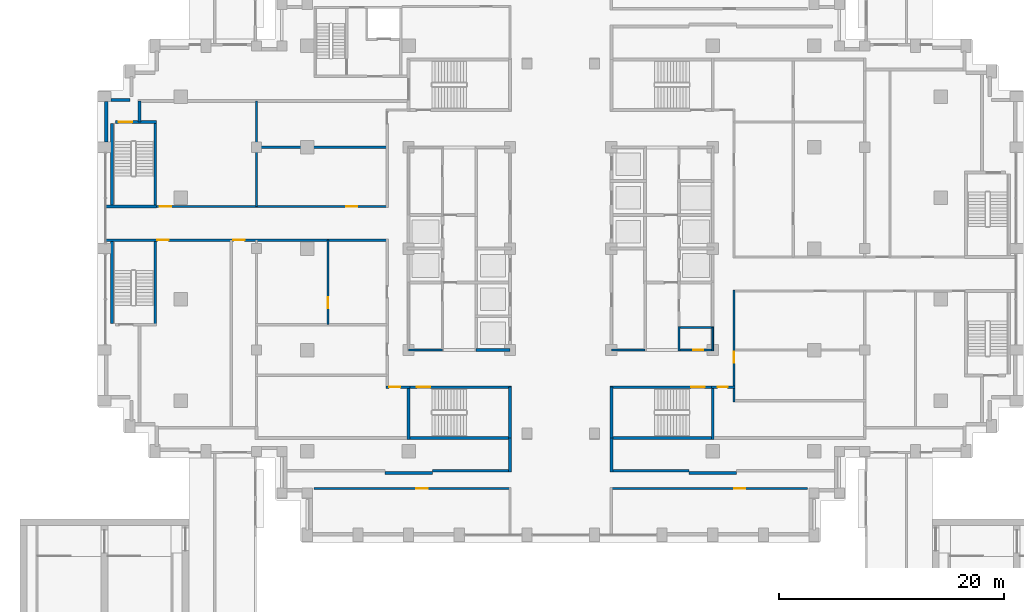
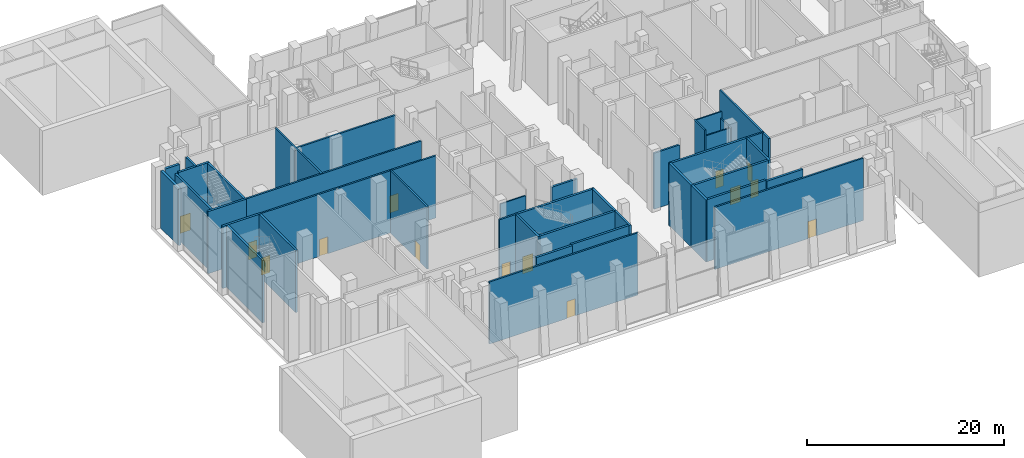
# One storey, part 11 of 24: 41 walls, 14 doors, 14 openings.
"""IFC4 building model written with IfcOpenShell, lengths in metres."""

from ifc_helpers import new_model, si_unit, direction, frame, frame_2d, origin, place, context, subcontext, project, spatial, rectangle, extrude, material, layer, layer_set, type_object, element, fill, save


model = new_model("IFC4")

# Units and contexts
model_context = context("Model", 3, precision=1e-05, world=origin(), true_north=direction((0.0, 1.0)))
body_context = subcontext(model_context, "Body", "Model", "MODEL_VIEW")
ifc_project = project(units=[si_unit("LENGTHUNIT", "METRE"), si_unit("AREAUNIT", "SQUARE_METRE"), si_unit("VOLUMEUNIT", "CUBIC_METRE"), si_unit("PLANEANGLEUNIT", "RADIAN"), si_unit("MASSUNIT", "GRAM", prefix="KILO")], contexts=[model_context])

# Site, building, storey
site_placement = place(None, origin())
site = spatial("IfcSite", under=ifc_project, at=site_placement, CompositionType="ELEMENT")
building_placement = place(site_placement, origin())
building = spatial("IfcBuilding", under=site, at=building_placement, Name="Corbelhall Arena Tower", CompositionType="ELEMENT")
storey_placement = place(building_placement, frame((0.0, 0.0, 60.0)))
storey = spatial("IfcBuildingStorey", under=building, at=storey_placement, Name="L08", CompositionType="ELEMENT", Elevation=60.0)

# Walls
ifc_material_1 = material(Name="Precast concrete C40/50 with granite facing", Category="masonry")
ifc_layer_1 = layer(ifc_material_1, 0.300048828125)
ifc_layer_set_1 = layer_set([ifc_layer_1], Name="EV-IW1 Infill panel 300")
wall_type_1 = type_object("IfcWallType", Name="EV-IW1 Infill panel 300", PredefinedType="SOLIDWALL", material=ifc_layer_set_1)
wall_1_placement = place(storey_placement, frame((-39.89990234375, 13.199951171875, 0.0), z_axis=(0.0, 0.0, 1.0), x_axis=(1.0, 0.0, 0.0)))
element("IfcWall", 1, at=wall_1_placement, inside=storey, type_object=wall_type_1, Name="Infill panel IW1", PredefinedType="SOLIDWALL", context=body_context, shape_type="SweptSolid", body=[
    extrude(rectangle(XDim=1.64990234375, YDim=0.300048828125, at=frame_2d((0.824951171875, 0.0))), origin(), (0.0, 0.0, 1.0), 7.10009765625),
])
wall_2_placement = place(storey_placement, frame((-40.35009765625, 13.050048828125, 0.0), z_axis=(0.0, 0.0, 1.0), x_axis=(0.0, -1.0, 0.0)))
element("IfcWall", 2, at=wall_2_placement, inside=storey, type_object=wall_type_1, Name="Infill panel IW1", PredefinedType="SOLIDWALL", context=body_context, shape_type="SweptSolid", body=[
    extrude(rectangle(XDim=3.60009765625, YDim=0.300048828125, at=frame_2d((1.800048828125, 0.0))), origin(), (0.0, 0.0, 1.0), 7.10009765625),
])

# Wall, openings, doors
ifc_material_2 = material(Name="Gypsum board on steel stud, acoustic", Category="steel")
ifc_layer_2 = layer(ifc_material_2, 0.199951171875)
ifc_layer_set_2 = layer_set([ifc_layer_2], Name="IN-W-DM200")
wall_type_2 = type_object("IfcWallType", Name="IN-W-DM200", PredefinedType="PARTITIONING", material=ifc_layer_set_2)
wall_3_placement = place(storey_placement, frame((-36.125, 3.75, 0.0), z_axis=(0.0, 0.0, 1.0), x_axis=(1.0, 0.0, 0.0)))
wall_3 = element("IfcWall", 3, at=wall_3_placement, inside=storey, type_object=wall_type_2, Name="Partition 001", PredefinedType="PARTITIONING", context=body_context, shape_type="SweptSolid", body=[
    extrude(rectangle(XDim=20.72509765625, YDim=0.199951171875, at=frame_2d((10.362548828125, 0.0))), origin(), (0.0, 0.0, 1.0), 7.699951171875),
])
opening_1_placement = place(wall_3_placement, frame((17.074951171875, 0.0, 0.0)))
opening_1 = element("IfcOpeningElement", 4, at=opening_1_placement, cuts=wall_3, Name="Opening 25024", PredefinedType="OPENING", context=body_context, shape_type="SweptSolid", body=[
    extrude(rectangle(XDim=1.0, YDim=2.10009765625, at=frame_2d((0.5, 1.050048828125))), frame((0.0, 0.10009765625, 0.0), z_axis=(0.0, -1.0, 0.0), x_axis=(1.0, 0.0, 0.0)), (0.0, 0.0, 1.0), 0.199951171875),
])
opening_2_placement = place(wall_3_placement, frame((0.550048828125, 0.0, 0.0)))
opening_2 = element("IfcOpeningElement", 5, at=opening_2_placement, cuts=wall_3, Name="Opening 25036", PredefinedType="OPENING", context=body_context, shape_type="SweptSolid", body=[
    extrude(rectangle(XDim=1.0, YDim=2.10009765625, at=frame_2d((0.5, 1.050048828125))), frame((0.0, 0.10009765625, 0.0), z_axis=(0.0, -1.0, 0.0), x_axis=(1.0, 0.0, 0.0)), (0.0, 0.0, 1.0), 0.199951171875),
])
ifc_material_3 = material(Name="Steel door set", Category="steel")
door_type_1 = type_object("IfcDoorType", Name="IN-D-SW100", OperationType="NOTDEFINED", PredefinedType="DOOR", material=ifc_material_3)
door_1_placement = place(opening_1_placement, origin())
door_1 = element("IfcDoor", 6, at=door_1_placement, inside=storey, type_object=door_type_1, Name="Door 024", OperationType="SINGLE_SWING_LEFT", OverallHeight=2.10009765625, OverallWidth=1.0, PredefinedType="DOOR", context=body_context, shape_type="SweptSolid", body=[
    extrude(rectangle(XDim=1.0, YDim=2.10009765625, at=frame_2d((0.5, 1.050048828125))), frame((0.0, 0.02490234375, 0.0), z_axis=(0.0, -1.0, 0.0), x_axis=(1.0, 0.0, 0.0)), (0.0, 0.0, 1.0), 0.050048828125),
])
fill(opening_1, door_1)
door_2_placement = place(opening_2_placement, origin())
door_2 = element("IfcDoor", 7, at=door_2_placement, inside=storey, type_object=door_type_1, Name="Door 036", OperationType="SINGLE_SWING_LEFT", OverallHeight=2.10009765625, OverallWidth=1.0, PredefinedType="DOOR", context=body_context, shape_type="SweptSolid", body=[
    extrude(rectangle(XDim=1.0, YDim=2.10009765625, at=frame_2d((0.5, 1.050048828125))), frame((0.0, 0.02490234375, 0.0), z_axis=(0.0, -1.0, 0.0), x_axis=(1.0, 0.0, 0.0)), (0.0, 0.0, 1.0), 0.050048828125),
])
fill(opening_2, door_2)

wall_4_placement = place(storey_placement, frame((-15.39990234375, 0.75, 0.0), z_axis=(0.0, 0.0, 1.0), x_axis=(-1.0, 0.0, 0.0)))
wall_4 = element("IfcWall", 8, at=wall_4_placement, inside=storey, type_object=wall_type_2, Name="Partition 003", PredefinedType="PARTITIONING", context=body_context, shape_type="SweptSolid", body=[
    extrude(rectangle(XDim=20.72509765625, YDim=0.199951171875, at=frame_2d((10.362548828125, 0.0))), origin(), (0.0, 0.0, 1.0), 7.699951171875),
])
opening_3_placement = place(wall_4_placement, frame((19.39990234375, 0.0, 0.0)))
opening_3 = element("IfcOpeningElement", 9, at=opening_3_placement, cuts=wall_4, Name="Opening 25037", PredefinedType="OPENING", context=body_context, shape_type="SweptSolid", body=[
    extrude(rectangle(XDim=1.0, YDim=2.10009765625, at=frame_2d((0.5, 1.050048828125))), frame((0.0, 0.10009765625, 0.0), z_axis=(0.0, -1.0, 0.0), x_axis=(1.0, 0.0, 0.0)), (0.0, 0.0, 1.0), 0.199951171875),
])
opening_4_placement = place(wall_4_placement, frame((12.64990234375, 0.0, 0.0)))
opening_4 = element("IfcOpeningElement", 10, at=opening_4_placement, cuts=wall_4, Name="Opening 25038", PredefinedType="OPENING", context=body_context, shape_type="SweptSolid", body=[
    extrude(rectangle(XDim=1.0, YDim=2.10009765625, at=frame_2d((0.5, 1.050048828125))), frame((0.0, 0.10009765625, 0.0), z_axis=(0.0, -1.0, 0.0), x_axis=(1.0, 0.0, 0.0)), (0.0, 0.0, 1.0), 0.199951171875),
])
door_3_placement = place(opening_3_placement, origin())
door_3 = element("IfcDoor", 11, at=door_3_placement, inside=storey, type_object=door_type_1, Name="Door 037", OperationType="SINGLE_SWING_RIGHT", OverallHeight=2.10009765625, OverallWidth=1.0, PredefinedType="DOOR", context=body_context, shape_type="SweptSolid", body=[
    extrude(rectangle(XDim=1.0, YDim=2.10009765625, at=frame_2d((0.5, 1.050048828125))), frame((0.0, 0.02490234375, 0.0), z_axis=(0.0, -1.0, 0.0), x_axis=(1.0, 0.0, 0.0)), (0.0, 0.0, 1.0), 0.050048828125),
])
fill(opening_3, door_3)
door_4_placement = place(opening_4_placement, origin())
door_4 = element("IfcDoor", 12, at=door_4_placement, inside=storey, type_object=door_type_1, Name="Door 038", OperationType="SINGLE_SWING_LEFT", OverallHeight=2.10009765625, OverallWidth=1.0, PredefinedType="DOOR", context=body_context, shape_type="SweptSolid", body=[
    extrude(rectangle(XDim=1.0, YDim=2.10009765625, at=frame_2d((0.5, 1.050048828125))), frame((0.0, 0.02490234375, 0.0), z_axis=(0.0, -1.0, 0.0), x_axis=(1.0, 0.0, 0.0)), (0.0, 0.0, 1.0), 0.050048828125),
])
fill(opening_4, door_4)

# Walls
wall_5_placement = place(storey_placement, frame((-27.10009765625, 9.0, 0.0), z_axis=(0.0, 0.0, 1.0), x_axis=(1.0, 0.0, 0.0)))
element("IfcWall", 13, at=wall_5_placement, inside=storey, type_object=wall_type_2, Name="Partition 006", PredefinedType="PARTITIONING", context=body_context, shape_type="SweptSolid", body=[
    extrude(rectangle(XDim=11.7001953125, YDim=0.199951171875, at=frame_2d((5.85009765625, 0.0))), origin(), (0.0, 0.0, 1.0), 7.699951171875),
])
wall_6_placement = place(storey_placement, frame((-27.0, 3.75, 0.0), z_axis=(0.0, 0.0, 1.0), x_axis=(0.0, 1.0, 0.0)))
element("IfcWall", 14, at=wall_6_placement, inside=storey, type_object=wall_type_2, Name="Partition 008", PredefinedType="PARTITIONING", context=body_context, shape_type="SweptSolid", body=[
    extrude(rectangle(XDim=9.35009765625, YDim=0.199951171875, at=frame_2d((4.675048828125, 0.0))), origin(), (0.0, 0.0, 1.0), 7.699951171875),
])

# Wall, opening, door
wall_7_placement = place(storey_placement, frame((-20.64990234375, -6.75, 0.0), z_axis=(0.0, 0.0, 1.0), x_axis=(0.0, 1.0, 0.0)))
wall_7 = element("IfcWall", 15, at=wall_7_placement, inside=storey, type_object=wall_type_2, Name="Partition 009", PredefinedType="PARTITIONING", context=body_context, shape_type="SweptSolid", body=[
    extrude(rectangle(XDim=7.5, YDim=0.199951171875, at=frame_2d((3.75, 0.0))), origin(), (0.0, 0.0, 1.0), 7.699951171875),
])
opening_5_placement = place(wall_7_placement, frame((1.449951171875, 0.0, 0.0)))
opening_5 = element("IfcOpeningElement", 16, at=opening_5_placement, cuts=wall_7, Name="Opening 25029", PredefinedType="OPENING", context=body_context, shape_type="SweptSolid", body=[
    extrude(rectangle(XDim=1.0, YDim=2.10009765625, at=frame_2d((0.5, 1.050048828125))), frame((0.0, 0.10009765625, 0.0), z_axis=(0.0, -1.0, 0.0), x_axis=(1.0, 0.0, 0.0)), (0.0, 0.0, 1.0), 0.199951171875),
])
door_5_placement = place(opening_5_placement, origin())
door_5 = element("IfcDoor", 17, at=door_5_placement, inside=storey, type_object=door_type_1, Name="Door 029", OperationType="SINGLE_SWING_RIGHT", OverallHeight=2.10009765625, OverallWidth=1.0, PredefinedType="DOOR", context=body_context, shape_type="SweptSolid", body=[
    extrude(rectangle(XDim=1.0, YDim=2.10009765625, at=frame_2d((0.5, 1.050048828125))), frame((0.0, 0.02490234375, 0.0), z_axis=(0.0, -1.0, 0.0), x_axis=(1.0, 0.0, 0.0)), (0.0, 0.0, 1.0), 0.050048828125),
])
fill(opening_5, door_5)

wall_8_placement = place(storey_placement, frame((-13.375, -12.300048828125, 0.0), z_axis=(0.0, 0.0, 1.0), x_axis=(-1.0, 0.0, 0.0)))
wall_8 = element("IfcWall", 18, at=wall_8_placement, inside=storey, type_object=wall_type_2, Name="Partition 013", PredefinedType="PARTITIONING", context=body_context, shape_type="SweptSolid", body=[
    extrude(rectangle(XDim=2.125, YDim=0.199951171875, at=frame_2d((1.0625, 0.0))), origin(), (0.0, 0.0, 1.0), 7.699951171875),
])
opening_6_placement = place(wall_8_placement, frame((0.85009765625, 0.0, 0.0)))
opening_6 = element("IfcOpeningElement", 19, at=opening_6_placement, cuts=wall_8, Name="Opening 25026", PredefinedType="OPENING", context=body_context, shape_type="SweptSolid", body=[
    extrude(rectangle(XDim=1.0, YDim=2.10009765625, at=frame_2d((0.5, 1.050048828125))), frame((0.0, 0.10009765625, 0.0), z_axis=(0.0, -1.0, 0.0), x_axis=(1.0, 0.0, 0.0)), (0.0, 0.0, 1.0), 0.199951171875),
])
door_6_placement = place(opening_6_placement, origin())
door_6 = element("IfcDoor", 20, at=door_6_placement, inside=storey, type_object=door_type_1, Name="Door 026", OperationType="SINGLE_SWING_LEFT", OverallHeight=2.10009765625, OverallWidth=1.0, PredefinedType="DOOR", context=body_context, shape_type="SweptSolid", body=[
    extrude(rectangle(XDim=1.0, YDim=2.10009765625, at=frame_2d((0.5, 1.050048828125))), frame((0.0, 0.02490234375, 0.0), z_axis=(0.0, -1.0, 0.0), x_axis=(1.0, 0.0, 0.0)), (0.0, 0.0, 1.0), 0.050048828125),
])
fill(opening_6, door_6)

wall_9_placement = place(storey_placement, frame((-4.5, -21.300048828125, 0.0), z_axis=(0.0, 0.0, 1.0), x_axis=(-1.0, 0.0, 0.0)))
wall_9 = element("IfcWall", 21, at=wall_9_placement, inside=storey, type_object=wall_type_2, Name="Partition 015", PredefinedType="PARTITIONING", context=body_context, shape_type="SweptSolid", body=[
    extrude(rectangle(XDim=17.39990234375, YDim=0.199951171875, at=frame_2d((8.699951171875, 0.0))), origin(), (0.0, 0.0, 1.0), 7.699951171875),
])
opening_7_placement = place(wall_9_placement, frame((7.300048828125, 0.0, 0.0)))
opening_7 = element("IfcOpeningElement", 22, at=opening_7_placement, cuts=wall_9, Name="Opening 25022", PredefinedType="OPENING", context=body_context, shape_type="SweptSolid", body=[
    extrude(rectangle(XDim=1.0, YDim=2.10009765625, at=frame_2d((0.5, 1.050048828125))), frame((0.0, 0.10009765625, 0.0), z_axis=(0.0, -1.0, 0.0), x_axis=(1.0, 0.0, 0.0)), (0.0, 0.0, 1.0), 0.199951171875),
])
door_7_placement = place(opening_7_placement, origin())
door_7 = element("IfcDoor", 23, at=door_7_placement, inside=storey, type_object=door_type_1, Name="Door 022", OperationType="SINGLE_SWING_LEFT", OverallHeight=2.10009765625, OverallWidth=1.0, PredefinedType="DOOR", context=body_context, shape_type="SweptSolid", body=[
    extrude(rectangle(XDim=1.0, YDim=2.10009765625, at=frame_2d((0.5, 1.050048828125))), frame((0.0, 0.02490234375, 0.0), z_axis=(0.0, -1.0, 0.0), x_axis=(1.0, 0.0, 0.0)), (0.0, 0.0, 1.0), 0.050048828125),
])
fill(opening_7, door_7)

wall_10_placement = place(storey_placement, frame((15.39990234375, -3.64990234375, 0.0), z_axis=(0.0, 0.0, 1.0), x_axis=(0.0, -1.0, 0.0)))
wall_10 = element("IfcWall", 24, at=wall_10_placement, inside=storey, type_object=wall_type_2, Name="Partition 023", PredefinedType="PARTITIONING", context=body_context, shape_type="SweptSolid", body=[
    extrude(rectangle(XDim=9.9501953125, YDim=0.199951171875, at=frame_2d((4.97509765625, 0.0))), origin(), (0.0, 0.0, 1.0), 7.699951171875),
])
opening_8_placement = place(wall_10_placement, frame((5.5, 0.0, 0.0)))
opening_8 = element("IfcOpeningElement", 25, at=opening_8_placement, cuts=wall_10, Name="Opening 25034", PredefinedType="OPENING", context=body_context, shape_type="SweptSolid", body=[
    extrude(rectangle(XDim=1.0, YDim=2.10009765625, at=frame_2d((0.5, 1.050048828125))), frame((0.0, 0.10009765625, 0.0), z_axis=(0.0, -1.0, 0.0), x_axis=(1.0, 0.0, 0.0)), (0.0, 0.0, 1.0), 0.199951171875),
])
door_8_placement = place(opening_8_placement, origin())
door_8 = element("IfcDoor", 26, at=door_8_placement, inside=storey, type_object=door_type_1, Name="Door 034", OperationType="SINGLE_SWING_LEFT", OverallHeight=2.10009765625, OverallWidth=1.0, PredefinedType="DOOR", context=body_context, shape_type="SweptSolid", body=[
    extrude(rectangle(XDim=1.0, YDim=2.10009765625, at=frame_2d((0.5, 1.050048828125))), frame((0.0, 0.02490234375, 0.0), z_axis=(0.0, -1.0, 0.0), x_axis=(1.0, 0.0, 0.0)), (0.0, 0.0, 1.0), 0.050048828125),
])
fill(opening_8, door_8)

wall_11_placement = place(storey_placement, frame((15.5, -12.300048828125, 0.0), z_axis=(0.0, 0.0, 1.0), x_axis=(-1.0, 0.0, 0.0)))
wall_11 = element("IfcWall", 27, at=wall_11_placement, inside=storey, type_object=wall_type_2, Name="Partition 028", PredefinedType="PARTITIONING", context=body_context, shape_type="SweptSolid", body=[
    extrude(rectangle(XDim=2.125, YDim=0.199951171875, at=frame_2d((1.0625, 0.0))), origin(), (0.0, 0.0, 1.0), 7.699951171875),
])
opening_9_placement = place(wall_11_placement, frame((0.669921875, 0.0, 0.0)))
opening_9 = element("IfcOpeningElement", 28, at=opening_9_placement, cuts=wall_11, Name="Opening 25044", PredefinedType="OPENING", context=body_context, shape_type="SweptSolid", body=[
    extrude(rectangle(XDim=0.89990234375, YDim=2.10009765625, at=frame_2d((0.449951171875, 1.050048828125))), frame((0.0, 0.10009765625, 0.0), z_axis=(0.0, -1.0, 0.0), x_axis=(1.0, 0.0, 0.0)), (0.0, 0.0, 1.0), 0.199951171875),
])
ifc_material_4 = material(Name="Timber door set", Category="wood")
door_type_2 = type_object("IfcDoorType", Name="IN-D-SW90", OperationType="NOTDEFINED", PredefinedType="DOOR", material=ifc_material_4)
door_9_placement = place(opening_9_placement, origin())
door_9 = element("IfcDoor", 29, at=door_9_placement, inside=storey, type_object=door_type_2, Name="Door 044", OperationType="SINGLE_SWING_LEFT", OverallHeight=2.10009765625, OverallWidth=0.89990234375, PredefinedType="DOOR", context=body_context, shape_type="SweptSolid", body=[
    extrude(rectangle(XDim=0.89990234375, YDim=2.10009765625, at=frame_2d((0.449951171875, 1.050048828125))), frame((0.0, 0.02490234375, 0.0), z_axis=(0.0, -1.0, 0.0), x_axis=(1.0, 0.0, 0.0)), (0.0, 0.0, 1.0), 0.050048828125),
])
fill(opening_9, door_9)

wall_12_placement = place(storey_placement, frame((21.89990234375, -21.300048828125, 0.0), z_axis=(0.0, 0.0, 1.0), x_axis=(-1.0, 0.0, 0.0)))
wall_12 = element("IfcWall", 30, at=wall_12_placement, inside=storey, type_object=wall_type_2, Name="Partition 030", PredefinedType="PARTITIONING", context=body_context, shape_type="SweptSolid", body=[
    extrude(rectangle(XDim=17.39990234375, YDim=0.199951171875, at=frame_2d((8.699951171875, 0.0))), origin(), (0.0, 0.0, 1.0), 7.699951171875),
])
opening_10_placement = place(wall_12_placement, frame((5.5, 0.0, 0.0)))
opening_10 = element("IfcOpeningElement", 31, at=opening_10_placement, cuts=wall_12, Name="Opening 25023", PredefinedType="OPENING", context=body_context, shape_type="SweptSolid", body=[
    extrude(rectangle(XDim=1.0, YDim=2.10009765625, at=frame_2d((0.5, 1.050048828125))), frame((0.0, 0.10009765625, 0.0), z_axis=(0.0, -1.0, 0.0), x_axis=(1.0, 0.0, 0.0)), (0.0, 0.0, 1.0), 0.199951171875),
])
door_10_placement = place(opening_10_placement, origin())
door_10 = element("IfcDoor", 32, at=door_10_placement, inside=storey, type_object=door_type_1, Name="Door 023", OperationType="SINGLE_SWING_RIGHT", OverallHeight=2.10009765625, OverallWidth=1.0, PredefinedType="DOOR", context=body_context, shape_type="SweptSolid", body=[
    extrude(rectangle(XDim=1.0, YDim=2.10009765625, at=frame_2d((0.5, 1.050048828125))), frame((0.0, 0.02490234375, 0.0), z_axis=(0.0, -1.0, 0.0), x_axis=(1.0, 0.0, 0.0)), (0.0, 0.0, 1.0), 0.050048828125),
])
fill(opening_10, door_10)

# Walls
ifc_material_5 = material(Name="Concrete block wall", Category="concrete")
ifc_layer_3 = layer(ifc_material_5, 0.199951171875)
ifc_layer_set_3 = layer_set([ifc_layer_3], Name="IN-W-RS200 under beam 762 mm")
wall_type_3 = type_object("IfcWallType", Name="IN-W-RS200 under beam 762 mm", PredefinedType="SOLIDWALL", material=ifc_layer_set_3)
wall_13_placement = place(storey_placement, frame((7.5, -9.0, 0.0), z_axis=(0.0, 0.0, 1.0), x_axis=(-1.0, 0.0, 0.0)))
element("IfcWall", 33, at=wall_13_placement, inside=storey, type_object=wall_type_3, Name="Partition 040", PredefinedType="SOLIDWALL", context=body_context, shape_type="SweptSolid", body=[
    extrude(rectangle(XDim=3.0, YDim=0.199951171875, at=frame_2d((1.5, 0.0))), origin(), (0.0, 0.0, 1.0), 6.93798828125),
])
ifc_material_6 = material(Name="Concrete C40/50", Category="concrete")
ifc_layer_4 = layer(ifc_material_6, 0.25)
ifc_layer_set_4 = layer_set([ifc_layer_4], Name="IN-W-SH250")
wall_type_4 = type_object("IfcWallType", Name="IN-W-SH250", PredefinedType="SOLIDWALL", material=ifc_layer_set_4)
wall_14_placement = place(storey_placement, frame((-37.39990234375, 13.10009765625, 0.0), z_axis=(0.0, 0.0, 1.0), x_axis=(0.0, -1.0, 0.0)))
element("IfcWall", 34, at=wall_14_placement, inside=storey, type_object=wall_type_4, Name="Shaft wall 048", PredefinedType="SOLIDWALL", context=body_context, shape_type="SweptSolid", body=[
    extrude(rectangle(XDim=1.85009765625, YDim=0.25, at=frame_2d((0.925048828125, 0.0))), origin(), (0.0, 0.0, 1.0), 7.699951171875),
])
wall_15_placement = place(storey_placement, frame((-11.39990234375, -19.909912109375, 0.0), z_axis=(0.0, 0.0, 1.0), x_axis=(-1.0, 0.0, 0.0)))
element("IfcWall", 35, at=wall_15_placement, inside=storey, type_object=wall_type_4, Name="Shaft wall 058", PredefinedType="SOLIDWALL", context=body_context, shape_type="SweptSolid", body=[
    extrude(rectangle(XDim=4.2001953125, YDim=0.25, at=frame_2d((2.10009765625, 0.0))), origin(), (0.0, 0.0, 1.0), 7.699951171875),
])
wall_16_placement = place(storey_placement, frame((-4.5, -19.7099609375, 0.0), z_axis=(0.0, 0.0, 1.0), x_axis=(-1.0, 0.0, 0.0)))
element("IfcWall", 36, at=wall_16_placement, inside=storey, type_object=wall_type_4, Name="Shaft wall 064", PredefinedType="SOLIDWALL", context=body_context, shape_type="SweptSolid", body=[
    extrude(rectangle(XDim=6.89990234375, YDim=0.25, at=frame_2d((3.449951171875, 0.0))), origin(), (0.0, 0.0, 1.0), 7.699951171875),
])
for number, where, z_axis, x_axis, name in (
    (37, (-4.5, -16.800048828125, 0.0), (0.0, 0.0, 1.0), (0.0, -1.0, 0.0), "Shaft wall 065"),
    (38, (4.5, -19.8349609375, 0.0), (0.0, 0.0, 1.0), (0.0, 1.0, 0.0), "Shaft wall 071"),
):
    element("IfcWall", number, at=place(storey_placement, frame(where, z_axis=z_axis, x_axis=x_axis)), inside=storey, type_object=wall_type_4, Name=name, PredefinedType="SOLIDWALL", context=body_context, shape_type="SweptSolid", body=[
        extrude(rectangle(XDim=3.034912109375, YDim=0.25, at=frame_2d((1.517578125, 0.0))), origin(), (0.0, 0.0, 1.0), 7.699951171875),
    ])
wall_17_placement = place(storey_placement, frame((11.39990234375, -19.7099609375, 0.0), z_axis=(0.0, 0.0, 1.0), x_axis=(-1.0, 0.0, 0.0)))
element("IfcWall", 39, at=wall_17_placement, inside=storey, type_object=wall_type_4, Name="Shaft wall 081", PredefinedType="SOLIDWALL", context=body_context, shape_type="SweptSolid", body=[
    extrude(rectangle(XDim=6.89990234375, YDim=0.25, at=frame_2d((3.449951171875, 0.0))), origin(), (0.0, 0.0, 1.0), 7.699951171875),
])
wall_18_placement = place(storey_placement, frame((15.60009765625, -19.909912109375, 0.0), z_axis=(0.0, 0.0, 1.0), x_axis=(-1.0, 0.0, 0.0)))
element("IfcWall", 40, at=wall_18_placement, inside=storey, type_object=wall_type_4, Name="Shaft wall 086", PredefinedType="SOLIDWALL", context=body_context, shape_type="SweptSolid", body=[
    extrude(rectangle(XDim=4.2001953125, YDim=0.25, at=frame_2d((2.10009765625, 0.0))), origin(), (0.0, 0.0, 1.0), 7.699951171875),
])
ifc_layer_5 = layer(ifc_material_6, 0.25)
ifc_layer_set_5 = layer_set([ifc_layer_5], Name="IN-W-SH250 under beam 762 mm")
wall_type_5 = type_object("IfcWallType", Name="IN-W-SH250 under beam 762 mm", PredefinedType="SOLIDWALL", material=ifc_layer_set_5)
wall_19_placement = place(storey_placement, frame((-4.5, -9.0, 0.0), z_axis=(0.0, 0.0, 1.0), x_axis=(-1.0, 0.0, 0.0)))
element("IfcWall", 41, at=wall_19_placement, inside=storey, type_object=wall_type_5, Name="Shaft wall 066", PredefinedType="SOLIDWALL", context=body_context, shape_type="SweptSolid", body=[
    extrude(rectangle(XDim=3.0, YDim=0.25, at=frame_2d((1.5, 0.0))), origin(), (0.0, 0.0, 1.0), 6.93798828125),
])
ifc_layer_6 = layer(ifc_material_6, 0.25)
ifc_layer_set_6 = layer_set([ifc_layer_6], Name="IN-W-ST250")
wall_type_6 = type_object("IfcWallType", Name="IN-W-ST250", PredefinedType="SOLIDWALL", material=ifc_layer_set_6)
wall_20_placement = place(storey_placement, frame((-40.385986328125, 3.75, 0.0), z_axis=(0.0, 0.0, 1.0), x_axis=(1.0, 0.0, 0.0)))
element("IfcWall", 42, at=wall_20_placement, inside=storey, type_object=wall_type_6, Name="Shaft wall 095", PredefinedType="SOLIDWALL", context=body_context, shape_type="SweptSolid", body=[
    extrude(rectangle(XDim=4.510986328125, YDim=0.25, at=frame_2d((2.25537109375, 0.0))), origin(), (0.0, 0.0, 1.0), 7.699951171875),
])

# Wall, opening, door
wall_21_placement = place(storey_placement, frame((-39.5, 11.25, 0.0), z_axis=(0.0, 0.0, 1.0), x_axis=(1.0, 0.0, 0.0)))
wall_21 = element("IfcWall", 43, at=wall_21_placement, inside=storey, type_object=wall_type_6, Name="Shaft wall 096", PredefinedType="SOLIDWALL", context=body_context, shape_type="SweptSolid", body=[
    extrude(rectangle(XDim=3.625, YDim=0.25, at=frame_2d((1.8125, 0.0))), origin(), (0.0, 0.0, 1.0), 7.699951171875),
])
opening_11_placement = place(wall_21_placement, frame((0.25, 0.0, 0.0)))
opening_11 = element("IfcOpeningElement", 44, at=opening_11_placement, cuts=wall_21, Name="Opening 25016", PredefinedType="OPENING", context=body_context, shape_type="SweptSolid", body=[
    extrude(rectangle(XDim=1.199951171875, YDim=2.10009765625, at=frame_2d((0.60009765625, 1.050048828125))), frame((0.0, 0.125, 0.0), z_axis=(0.0, -1.0, 0.0), x_axis=(1.0, 0.0, 0.0)), (0.0, 0.0, 1.0), 0.25),
])
door_type_3 = type_object("IfcDoorType", Name="IN-D-ST120", OperationType="NOTDEFINED", PredefinedType="DOOR", material=ifc_material_3)
door_11_placement = place(opening_11_placement, origin())
door_11 = element("IfcDoor", 45, at=door_11_placement, inside=storey, type_object=door_type_3, Name="Door 016", OperationType="SINGLE_SWING_LEFT", OverallHeight=2.10009765625, OverallWidth=1.199951171875, PredefinedType="DOOR", context=body_context, shape_type="SweptSolid", body=[
    extrude(rectangle(XDim=1.199951171875, YDim=2.10009765625, at=frame_2d((0.60009765625, 1.050048828125))), frame((0.0, 0.02490234375, 0.0), z_axis=(0.0, -1.0, 0.0), x_axis=(1.0, 0.0, 0.0)), (0.0, 0.0, 1.0), 0.050048828125),
])
fill(opening_11, door_11)

# Walls
for number, where, z_axis, x_axis, name in (
    (46, (-36.0, 0.75, 0.0), (0.0, 0.0, 1.0), (0.0, -1.0, 0.0), "Shaft wall 098"),
    (47, (-36.0, 11.25, 0.0), (0.0, 0.0, 1.0), (0.0, -1.0, 0.0), "Shaft wall 099"),
):
    element("IfcWall", number, at=place(storey_placement, frame(where, z_axis=z_axis, x_axis=x_axis)), inside=storey, type_object=wall_type_6, Name=name, PredefinedType="SOLIDWALL", context=body_context, shape_type="SweptSolid", body=[
        extrude(rectangle(XDim=7.5, YDim=0.25, at=frame_2d((3.75, 0.0))), origin(), (0.0, 0.0, 1.0), 7.699951171875),
    ])
wall_22_placement = place(storey_placement, frame((-35.875, 0.75, 0.0), z_axis=(0.0, 0.0, 1.0), x_axis=(-1.0, 0.0, 0.0)))
element("IfcWall", 48, at=wall_22_placement, inside=storey, type_object=wall_type_6, Name="Shaft wall 100", PredefinedType="SOLIDWALL", context=body_context, shape_type="SweptSolid", body=[
    extrude(rectangle(XDim=4.510986328125, YDim=0.25, at=frame_2d((2.25537109375, 0.0))), origin(), (0.0, 0.0, 1.0), 7.699951171875),
])
wall_23_placement = place(storey_placement, frame((-13.5, -16.925048828125, 0.0), z_axis=(0.0, 0.0, 1.0), x_axis=(0.0, 1.0, 0.0)))
element("IfcWall", 49, at=wall_23_placement, inside=storey, type_object=wall_type_6, Name="Shaft wall 103", PredefinedType="SOLIDWALL", context=body_context, shape_type="SweptSolid", body=[
    extrude(rectangle(XDim=4.625, YDim=0.25, at=frame_2d((2.3125, 0.0))), origin(), (0.0, 0.0, 1.0), 7.699951171875),
])
wall_24_placement = place(storey_placement, frame((-4.5, -12.300048828125, 0.0), z_axis=(0.0, 0.0, 1.0), x_axis=(0.0, -1.0, 0.0)))
element("IfcWall", 50, at=wall_24_placement, inside=storey, type_object=wall_type_6, Name="Shaft wall 105", PredefinedType="SOLIDWALL", context=body_context, shape_type="SweptSolid", body=[
    extrude(rectangle(XDim=4.5, YDim=0.25, at=frame_2d((2.25, 0.0))), origin(), (0.0, 0.0, 1.0), 7.699951171875),
])
wall_25_placement = place(storey_placement, frame((-4.375, -16.800048828125, 0.0), z_axis=(0.0, 0.0, 1.0), x_axis=(-1.0, 0.0, 0.0)))
element("IfcWall", 51, at=wall_25_placement, inside=storey, type_object=wall_type_6, Name="Shaft wall 107", PredefinedType="SOLIDWALL", context=body_context, shape_type="SweptSolid", body=[
    extrude(rectangle(XDim=9.25, YDim=0.25, at=frame_2d((4.625, 0.0))), origin(), (0.0, 0.0, 1.0), 7.699951171875),
])

# Wall, opening, door
wall_26_placement = place(storey_placement, frame((-4.375, -12.300048828125, 0.0), z_axis=(0.0, 0.0, 1.0), x_axis=(-1.0, 0.0, 0.0)))
wall_26 = element("IfcWall", 52, at=wall_26_placement, inside=storey, type_object=wall_type_6, Name="Shaft wall 108", PredefinedType="SOLIDWALL", context=body_context, shape_type="SweptSolid", body=[
    extrude(rectangle(XDim=9.25, YDim=0.25, at=frame_2d((4.625, 0.0))), origin(), (0.0, 0.0, 1.0), 7.699951171875),
])
opening_12_placement = place(wall_26_placement, frame((7.199951171875, 0.0, 0.0)))
opening_12 = element("IfcOpeningElement", 53, at=opening_12_placement, cuts=wall_26, Name="Opening 25013", PredefinedType="OPENING", context=body_context, shape_type="SweptSolid", body=[
    extrude(rectangle(XDim=1.199951171875, YDim=2.10009765625, at=frame_2d((0.60009765625, 1.050048828125))), frame((0.0, 0.125, 0.0), z_axis=(0.0, -1.0, 0.0), x_axis=(1.0, 0.0, 0.0)), (0.0, 0.0, 1.0), 0.25),
])
door_12_placement = place(opening_12_placement, origin())
door_12 = element("IfcDoor", 54, at=door_12_placement, inside=storey, type_object=door_type_3, Name="Door 013", OperationType="SINGLE_SWING_RIGHT", OverallHeight=2.10009765625, OverallWidth=1.199951171875, PredefinedType="DOOR", context=body_context, shape_type="SweptSolid", body=[
    extrude(rectangle(XDim=1.199951171875, YDim=2.10009765625, at=frame_2d((0.60009765625, 1.050048828125))), frame((0.0, 0.02490234375, 0.0), z_axis=(0.0, -1.0, 0.0), x_axis=(1.0, 0.0, 0.0)), (0.0, 0.0, 1.0), 0.050048828125),
])
fill(opening_12, door_12)

# Walls
wall_27_placement = place(storey_placement, frame((4.5, -16.800048828125, 0.0), z_axis=(0.0, 0.0, 1.0), x_axis=(0.0, 1.0, 0.0)))
element("IfcWall", 55, at=wall_27_placement, inside=storey, type_object=wall_type_6, Name="Shaft wall 111", PredefinedType="SOLIDWALL", context=body_context, shape_type="SweptSolid", body=[
    extrude(rectangle(XDim=4.5, YDim=0.25, at=frame_2d((2.25, 0.0))), origin(), (0.0, 0.0, 1.0), 7.699951171875),
])
wall_28_placement = place(storey_placement, frame((13.5, -12.300048828125, 0.0), z_axis=(0.0, 0.0, 1.0), x_axis=(0.0, -1.0, 0.0)))
element("IfcWall", 56, at=wall_28_placement, inside=storey, type_object=wall_type_6, Name="Shaft wall 113", PredefinedType="SOLIDWALL", context=body_context, shape_type="SweptSolid", body=[
    extrude(rectangle(XDim=4.625, YDim=0.25, at=frame_2d((2.3125, 0.0))), origin(), (0.0, 0.0, 1.0), 7.699951171875),
])
wall_29_placement = place(storey_placement, frame((13.625, -16.800048828125, 0.0), z_axis=(0.0, 0.0, 1.0), x_axis=(-1.0, 0.0, 0.0)))
element("IfcWall", 57, at=wall_29_placement, inside=storey, type_object=wall_type_6, Name="Shaft wall 115", PredefinedType="SOLIDWALL", context=body_context, shape_type="SweptSolid", body=[
    extrude(rectangle(XDim=9.25, YDim=0.25, at=frame_2d((4.625, 0.0))), origin(), (0.0, 0.0, 1.0), 7.699951171875),
])

# Wall, opening, door
wall_30_placement = place(storey_placement, frame((13.625, -12.300048828125, 0.0), z_axis=(0.0, 0.0, 1.0), x_axis=(-1.0, 0.0, 0.0)))
wall_30 = element("IfcWall", 58, at=wall_30_placement, inside=storey, type_object=wall_type_6, Name="Shaft wall 116", PredefinedType="SOLIDWALL", context=body_context, shape_type="SweptSolid", body=[
    extrude(rectangle(XDim=9.25, YDim=0.25, at=frame_2d((4.625, 0.0))), origin(), (0.0, 0.0, 1.0), 7.699951171875),
])
opening_13_placement = place(wall_30_placement, frame((0.85009765625, 0.0, 0.0)))
opening_13 = element("IfcOpeningElement", 59, at=opening_13_placement, cuts=wall_30, Name="Opening 25015", PredefinedType="OPENING", context=body_context, shape_type="SweptSolid", body=[
    extrude(rectangle(XDim=1.199951171875, YDim=2.10009765625, at=frame_2d((0.60009765625, 1.050048828125))), frame((0.0, 0.125, 0.0), z_axis=(0.0, -1.0, 0.0), x_axis=(1.0, 0.0, 0.0)), (0.0, 0.0, 1.0), 0.25),
])
door_13_placement = place(opening_13_placement, origin())
door_13 = element("IfcDoor", 60, at=door_13_placement, inside=storey, type_object=door_type_3, Name="Door 015", OperationType="SINGLE_SWING_RIGHT", OverallHeight=2.10009765625, OverallWidth=1.199951171875, PredefinedType="DOOR", context=body_context, shape_type="SweptSolid", body=[
    extrude(rectangle(XDim=1.199951171875, YDim=2.10009765625, at=frame_2d((0.60009765625, 1.050048828125))), frame((0.0, 0.02490234375, 0.0), z_axis=(0.0, -1.0, 0.0), x_axis=(1.0, 0.0, 0.0)), (0.0, 0.0, 1.0), 0.050048828125),
])
fill(opening_13, door_13)

# Walls
for number, where, z_axis, x_axis, name in (
    (61, (-39.824951171875, 3.875, 0.0), (0.0, 0.0, 1.0), (0.0, 1.0, 0.0), "Shaft wall SC1 facade side"),
    (62, (-39.824951171875, -6.625, 0.0), (0.0, 0.0, 1.0), (0.0, 1.0, 0.0), "Shaft wall SC2 facade side"),
):
    element("IfcWall", number, at=place(storey_placement, frame(where, z_axis=z_axis, x_axis=x_axis)), inside=storey, type_object=wall_type_6, Name=name, PredefinedType="SOLIDWALL", context=body_context, shape_type="SweptSolid", body=[
        extrude(rectangle(XDim=7.25, YDim=0.25, at=frame_2d((3.625, 0.0))), origin(), (0.0, 0.0, 1.0), 7.699951171875),
    ])
ifc_material_7 = material(Name="Gypsum board on steel stud, moisture resistant", Category="steel")
ifc_layer_7 = layer(ifc_material_7, 0.14990234375)
ifc_layer_set_7 = layer_set([ifc_layer_7], Name="IN-W-WC150")
wall_type_7 = type_object("IfcWallType", Name="IN-W-WC150", PredefinedType="PARTITIONING", material=ifc_layer_set_7)
wall_31_placement = place(storey_placement, frame((10.5, -7.0, 0.0), z_axis=(0.0, 0.0, 1.0), x_axis=(1.0, 0.0, 0.0)))
element("IfcWall", 63, at=wall_31_placement, inside=storey, type_object=wall_type_7, Name="Partition 129", PredefinedType="PARTITIONING", context=body_context, shape_type="SweptSolid", body=[
    extrude(rectangle(XDim=3.10009765625, YDim=0.14990234375, at=frame_2d((1.550048828125, 0.0))), origin(), (0.0, 0.0, 1.0), 7.699951171875),
])
wall_32_placement = place(storey_placement, frame((10.5, -6.925048828125, 0.0), z_axis=(0.0, 0.0, 1.0), x_axis=(0.0, -1.0, 0.0)))
element("IfcWall", 64, at=wall_32_placement, inside=storey, type_object=wall_type_7, Name="Partition 130", PredefinedType="PARTITIONING", context=body_context, shape_type="SweptSolid", body=[
    extrude(rectangle(XDim=2.14990234375, YDim=0.14990234375, at=frame_2d((1.074951171875, 0.0))), origin(), (0.0, 0.0, 1.0), 7.699951171875),
])
ifc_layer_8 = layer(ifc_material_7, 0.14990234375)
ifc_layer_set_8 = layer_set([ifc_layer_8], Name="IN-W-WC150 under beam 762 mm")
wall_type_8 = type_object("IfcWallType", Name="IN-W-WC150 under beam 762 mm", PredefinedType="PARTITIONING", material=ifc_layer_set_8)
wall_33_placement = place(storey_placement, frame((-10.5, -9.0, 0.0), z_axis=(0.0, 0.0, 1.0), x_axis=(-1.0, 0.0, 0.0)))
element("IfcWall", 65, at=wall_33_placement, inside=storey, type_object=wall_type_8, Name="Partition 127", PredefinedType="PARTITIONING", context=body_context, shape_type="SweptSolid", body=[
    extrude(rectangle(XDim=3.0, YDim=0.14990234375, at=frame_2d((1.5, 0.0))), origin(), (0.0, 0.0, 1.0), 6.93798828125),
])

# Wall, opening, door
wall_34_placement = place(storey_placement, frame((13.5, -9.0, 0.0), z_axis=(0.0, 0.0, 1.0), x_axis=(-1.0, 0.0, 0.0)))
wall_34 = element("IfcWall", 66, at=wall_34_placement, inside=storey, type_object=wall_type_8, Name="Partition 131", PredefinedType="PARTITIONING", context=body_context, shape_type="SweptSolid", body=[
    extrude(rectangle(XDim=3.0, YDim=0.14990234375, at=frame_2d((1.5, 0.0))), origin(), (0.0, 0.0, 1.0), 6.93798828125),
])
opening_14_placement = place(wall_34_placement, frame((0.85009765625, 0.0, 0.0)))
opening_14 = element("IfcOpeningElement", 67, at=opening_14_placement, cuts=wall_34, Name="Opening 25009", PredefinedType="OPENING", context=body_context, shape_type="SweptSolid", body=[
    extrude(rectangle(XDim=0.89990234375, YDim=2.10009765625, at=frame_2d((0.449951171875, 1.050048828125))), frame((0.0, 0.074951171875, 0.0), z_axis=(0.0, -1.0, 0.0), x_axis=(1.0, 0.0, 0.0)), (0.0, 0.0, 1.0), 0.14990234375),
])
door_14_placement = place(opening_14_placement, origin())
door_14 = element("IfcDoor", 68, at=door_14_placement, inside=storey, type_object=door_type_2, Name="Door 009", OperationType="SINGLE_SWING_RIGHT", OverallHeight=2.10009765625, OverallWidth=0.89990234375, PredefinedType="DOOR", context=body_context, shape_type="SweptSolid", body=[
    extrude(rectangle(XDim=0.89990234375, YDim=2.10009765625, at=frame_2d((0.449951171875, 1.050048828125))), frame((0.0, 0.02490234375, 0.0), z_axis=(0.0, -1.0, 0.0), x_axis=(1.0, 0.0, 0.0)), (0.0, 0.0, 1.0), 0.050048828125),
])
fill(opening_14, door_14)

# Wall
wall_35_placement = place(storey_placement, frame((13.5, -7.0, 0.0), z_axis=(0.0, 0.0, 1.0), x_axis=(0.0, -1.0, 0.0)))
element("IfcWall", 69, at=wall_35_placement, inside=storey, type_object=wall_type_8, Name="Partition 132", PredefinedType="PARTITIONING", context=body_context, shape_type="SweptSolid", body=[
    extrude(rectangle(XDim=2.074951171875, YDim=0.14990234375, at=frame_2d((1.03759765625, 0.0))), origin(), (0.0, 0.0, 1.0), 6.93798828125),
])

save(model, "model.ifc")
